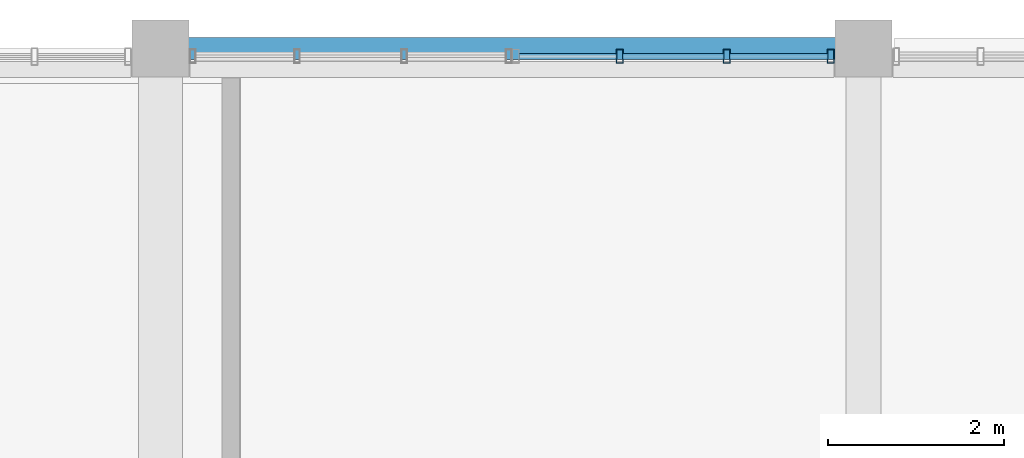
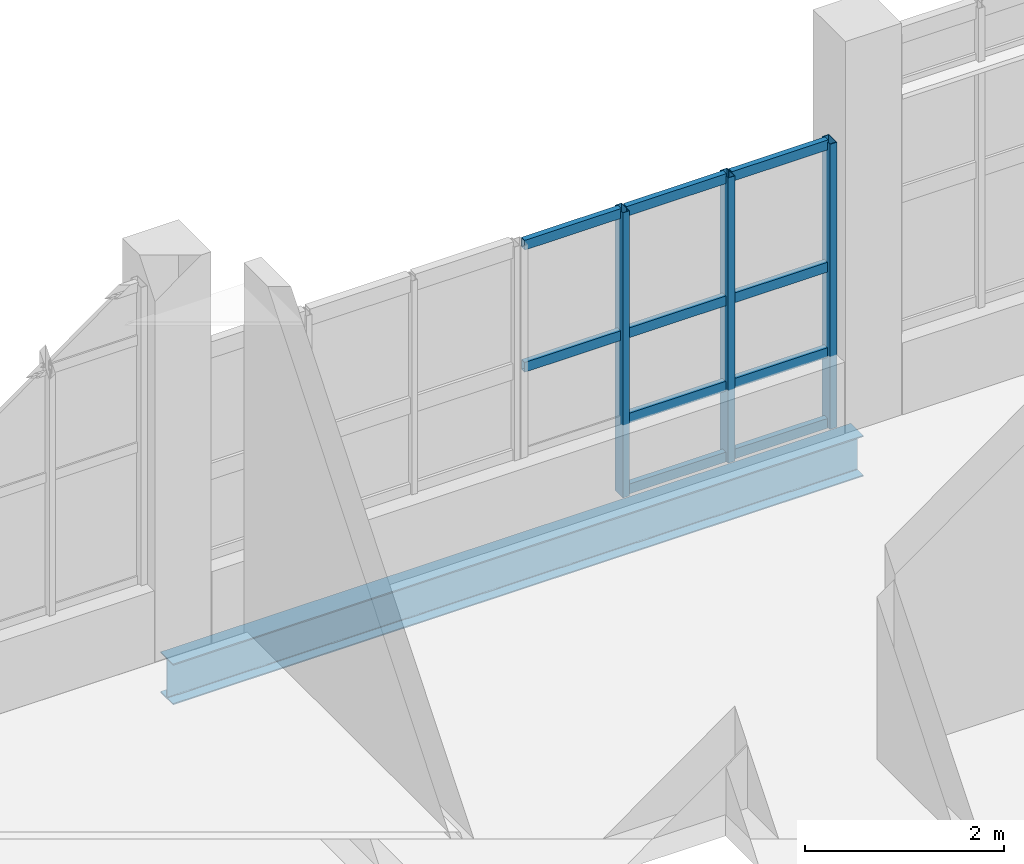
# One storey, part 48 of 102: 13 members, 1 beam, 1 element without a shape of its own.
"""IFC4 building model written with IfcOpenShell, lengths in metres."""

from ifc_helpers import new_model, si_unit, derived_unit, direction, frame, origin, origin_2d, place, context, subcontext, project, spatial, hollow_rectangle, i_section, extrude, material, layer, layer_set, material_profile, profile_set, type_object, element, aggregate, save


model = new_model("IFC4")

# Units and contexts
model_context = context("Model", 3, precision=1e-05, world=origin(), true_north=direction((0.0, 1.0)))
body_context = subcontext(model_context, "Body", "Model", "MODEL_VIEW")
ifc_project = project(units=[si_unit("LENGTHUNIT", "METRE"), si_unit("AREAUNIT", "SQUARE_METRE"), si_unit("VOLUMEUNIT", "CUBIC_METRE"), si_unit("PLANEANGLEUNIT", "RADIAN"), si_unit("MASSUNIT", "GRAM", prefix="KILO"), derived_unit("THERMALTRANSMITTANCEUNIT", [(si_unit("POWERUNIT", "WATT"), 1), (si_unit("LENGTHUNIT", "METRE"), -2), (si_unit("THERMODYNAMICTEMPERATUREUNIT", "KELVIN"), -1)])], contexts=[model_context])

# Site, building, storey
site_placement = place(None, origin())
site = spatial("IfcSite", under=ifc_project, at=site_placement, CompositionType="ELEMENT")
building_placement = place(site_placement, origin())
building = spatial("IfcBuilding", under=site, at=building_placement, Name="Nallur Shell Playhouse", CompositionType="ELEMENT")
storey_placement = place(building_placement, frame((0.0, 0.0, 15.0)))
storey = spatial("IfcBuildingStorey", under=building, at=storey_placement, Name="L04", CompositionType="ELEMENT", Elevation=15.0)

# Beam
ifc_material_1 = material(Name="Steel E350", Category="steel")
ifc_material_profile_1 = material_profile(ifc_material_1, i_section(OverallWidth=0.25, OverallDepth=0.5, WebThickness=0.010009765625, FlangeThickness=0.0146484375, FilletRadius=0.014892578125, at=origin_2d()), Name="ISWB 500")
ifc_profile_set_1 = profile_set([ifc_material_profile_1], Name="Steel E350")
beam_type = type_object("IfcBeamType", Name="BM-ST-ISWB500", PredefinedType="BEAM", material=ifc_profile_set_1)
beam_placement = place(storey_placement, frame((40.0, 83.0, -0.510009765625), z_axis=(1.0, 0.0, 0.0), x_axis=(0.0, 1.0, 0.0)))
element("IfcBeam", 1, at=beam_placement, inside=storey, type_object=beam_type, Name="L04 girder X-K-803", PredefinedType="BEAM", context=body_context, shape_type="SweptSolid", body=[
    extrude(i_section(OverallWidth=0.25, OverallDepth=0.5, WebThickness=0.010009765625, FlangeThickness=0.0146484375, FilletRadius=0.014892578125, at=origin_2d()), origin(), (0.0, 0.0, 1.0), 8.0),
])

# Curtain wall, members
ifc_material_2 = material(Name="Anodised Aluminium Double-Glazed Facade System", Category="aluminium")
ifc_layer = layer(ifc_material_2, 0.179931640625)
ifc_layer_set = layer_set([ifc_layer], Name="Anodised Aluminium Double-Glazed Facade System")
curtain_wall_type = type_object("IfcCurtainWallType", Name="CW-UNIT-11", PredefinedType="NOTDEFINED", material=ifc_layer_set)
curtain_wall_placement = place(storey_placement, origin())
curtain_wall = element("IfcCurtainWall", 2, at=curtain_wall_placement, inside=storey, type_object=curtain_wall_type, Name="Unitised curtain wall CW-107 (L04)", PredefinedType="NOTDEFINED")
ifc_material_3 = material(Name="Aluminium Alloy 6063-T6 Mullion", Category="aluminium")
ifc_material_profile_2 = material_profile(ifc_material_3, hollow_rectangle(XDim=0.080078125, YDim=0.159912109375, WallThickness=0.006103515625, at=origin_2d()), Name="RHS 160x80x6")
ifc_profile_set_2 = profile_set([ifc_material_profile_2], Name="Aluminium Alloy 6063-T6 Mullion")
member_type_1 = type_object("IfcMemberType", Name="MB-CW-MUL150", PredefinedType="MULLION", material=ifc_profile_set_2)
member_1_placement = place(storey_placement, frame((45.2255859375, 82.909912109375, -0.014892578125), z_axis=(0.0, 0.0, 1.0), x_axis=(1.0, 0.0, 0.0)))
member_1 = element("IfcMember", 3, at=member_1_placement, type_object=member_type_1, Name="CW-11 mullion 2", PredefinedType="MULLION", context=body_context, shape_type="SweptSolid", body=[
    extrude(hollow_rectangle(XDim=0.080078125, YDim=0.159912109375, WallThickness=0.006103515625, at=origin_2d()), origin(), (0.0, 0.0, 1.0), 3.493896484375),
])
member_2_placement = place(storey_placement, frame((46.4462890625, 82.909912109375, -0.014892578125), z_axis=(0.0, 0.0, 1.0), x_axis=(1.0, 0.0, 0.0)))
member_2 = element("IfcMember", 4, at=member_2_placement, type_object=member_type_1, Name="CW-11 mullion 3", PredefinedType="MULLION", context=body_context, shape_type="SweptSolid", body=[
    extrude(hollow_rectangle(XDim=0.080078125, YDim=0.159912109375, WallThickness=0.006103515625, at=origin_2d()), origin(), (0.0, 0.0, 1.0), 3.493896484375),
])
member_3_placement = place(storey_placement, frame((47.626953125, 82.909912109375, -0.014892578125), z_axis=(0.0, 0.0, 1.0), x_axis=(1.0, 0.0, 0.0)))
member_3 = element("IfcMember", 5, at=member_3_placement, type_object=member_type_1, Name="CW-11 mullion 4", PredefinedType="MULLION", context=body_context, shape_type="SweptSolid", body=[
    extrude(hollow_rectangle(XDim=0.080078125, YDim=0.159912109375, WallThickness=0.006103515625, at=origin_2d()), origin(), (0.0, 0.0, 1.0), 3.493896484375),
])
ifc_material_4 = material(Name="Aluminium Alloy 6063-T6 Transom", Category="aluminium")
ifc_material_profile_3 = material_profile(ifc_material_4, hollow_rectangle(XDim=0.06494140625, YDim=0.1201171875, WallThickness=0.00390625, at=origin_2d()), Name="ALU 65x120x4")
ifc_profile_set_3 = profile_set([ifc_material_profile_3], Name="Aluminium Alloy 6063-T6 Transom")
member_type_2 = type_object("IfcMemberType", Name="MB-CW-TRN120", PredefinedType="USERDEFINED", material=ifc_profile_set_3)
member_4_placement = place(storey_placement, frame((44.076904296875, 82.909912109375, 1.946044921875), z_axis=(1.0, 0.0, 0.0), x_axis=(0.0, 1.0, 0.0)))
member_4 = element("IfcMember", 6, at=member_4_placement, type_object=member_type_2, Name="CW-11 transom 1.3", ObjectType="TRANSOM", PredefinedType="USERDEFINED", context=body_context, shape_type="SweptSolid", body=[
    extrude(hollow_rectangle(XDim=0.06494140625, YDim=0.1201171875, WallThickness=0.00390625, at=origin_2d()), origin(), (0.0, 0.0, 1.0), 1.11669921875),
])
member_5_placement = place(storey_placement, frame((44.076904296875, 82.909912109375, 3.4423828125), z_axis=(1.0, 0.0, 0.0), x_axis=(0.0, 1.0, 0.0)))
member_5 = element("IfcMember", 7, at=member_5_placement, type_object=member_type_2, Name="CW-11 transom 1.4", ObjectType="TRANSOM", PredefinedType="USERDEFINED", context=body_context, shape_type="SweptSolid", body=[
    extrude(hollow_rectangle(XDim=0.06494140625, YDim=0.1201171875, WallThickness=0.00390625, at=origin_2d()), origin(), (0.0, 0.0, 1.0), 1.11669921875),
])
member_6_placement = place(storey_placement, frame((45.257568359375, 82.909912109375, 0.032470703125), z_axis=(1.0, 0.0, 0.0), x_axis=(0.0, 1.0, 0.0)))
member_6 = element("IfcMember", 8, at=member_6_placement, type_object=member_type_2, Name="CW-11 transom 2.1", ObjectType="TRANSOM", PredefinedType="USERDEFINED", context=body_context, shape_type="SweptSolid", body=[
    extrude(hollow_rectangle(XDim=0.06494140625, YDim=0.1201171875, WallThickness=0.00390625, at=origin_2d()), origin(), (0.0, 0.0, 1.0), 1.15673828125),
])
member_7_placement = place(storey_placement, frame((45.257568359375, 82.909912109375, 0.89990234375), z_axis=(1.0, 0.0, 0.0), x_axis=(0.0, 1.0, 0.0)))
member_7 = element("IfcMember", 9, at=member_7_placement, type_object=member_type_2, Name="CW-11 transom 2.2", ObjectType="TRANSOM", PredefinedType="USERDEFINED", context=body_context, shape_type="SweptSolid", body=[
    extrude(hollow_rectangle(XDim=0.06494140625, YDim=0.1201171875, WallThickness=0.00390625, at=origin_2d()), origin(), (0.0, 0.0, 1.0), 1.15673828125),
])
member_8_placement = place(storey_placement, frame((45.257568359375, 82.909912109375, 1.946044921875), z_axis=(1.0, 0.0, 0.0), x_axis=(0.0, 1.0, 0.0)))
member_8 = element("IfcMember", 10, at=member_8_placement, type_object=member_type_2, Name="CW-11 transom 2.3", ObjectType="TRANSOM", PredefinedType="USERDEFINED", context=body_context, shape_type="SweptSolid", body=[
    extrude(hollow_rectangle(XDim=0.06494140625, YDim=0.1201171875, WallThickness=0.00390625, at=origin_2d()), origin(), (0.0, 0.0, 1.0), 1.15673828125),
])
member_9_placement = place(storey_placement, frame((45.257568359375, 82.909912109375, 3.4423828125), z_axis=(1.0, 0.0, 0.0), x_axis=(0.0, 1.0, 0.0)))
member_9 = element("IfcMember", 11, at=member_9_placement, type_object=member_type_2, Name="CW-11 transom 2.4", ObjectType="TRANSOM", PredefinedType="USERDEFINED", context=body_context, shape_type="SweptSolid", body=[
    extrude(hollow_rectangle(XDim=0.06494140625, YDim=0.1201171875, WallThickness=0.00390625, at=origin_2d()), origin(), (0.0, 0.0, 1.0), 1.15673828125),
])
member_10_placement = place(storey_placement, frame((46.478271484375, 82.909912109375, 0.032470703125), z_axis=(1.0, 0.0, 0.0), x_axis=(0.0, 1.0, 0.0)))
member_10 = element("IfcMember", 12, at=member_10_placement, type_object=member_type_2, Name="CW-11 transom 3.1", ObjectType="TRANSOM", PredefinedType="USERDEFINED", context=body_context, shape_type="SweptSolid", body=[
    extrude(hollow_rectangle(XDim=0.06494140625, YDim=0.1201171875, WallThickness=0.00390625, at=origin_2d()), origin(), (0.0, 0.0, 1.0), 1.11669921875),
])
member_11_placement = place(storey_placement, frame((46.478271484375, 82.909912109375, 0.89990234375), z_axis=(1.0, 0.0, 0.0), x_axis=(0.0, 1.0, 0.0)))
member_11 = element("IfcMember", 13, at=member_11_placement, type_object=member_type_2, Name="CW-11 transom 3.2", ObjectType="TRANSOM", PredefinedType="USERDEFINED", context=body_context, shape_type="SweptSolid", body=[
    extrude(hollow_rectangle(XDim=0.06494140625, YDim=0.1201171875, WallThickness=0.00390625, at=origin_2d()), origin(), (0.0, 0.0, 1.0), 1.11669921875),
])
member_12_placement = place(storey_placement, frame((46.478271484375, 82.909912109375, 1.946044921875), z_axis=(1.0, 0.0, 0.0), x_axis=(0.0, 1.0, 0.0)))
member_12 = element("IfcMember", 14, at=member_12_placement, type_object=member_type_2, Name="CW-11 transom 3.3", ObjectType="TRANSOM", PredefinedType="USERDEFINED", context=body_context, shape_type="SweptSolid", body=[
    extrude(hollow_rectangle(XDim=0.06494140625, YDim=0.1201171875, WallThickness=0.00390625, at=origin_2d()), origin(), (0.0, 0.0, 1.0), 1.11669921875),
])
member_13_placement = place(storey_placement, frame((46.478271484375, 82.909912109375, 3.4423828125), z_axis=(1.0, 0.0, 0.0), x_axis=(0.0, 1.0, 0.0)))
member_13 = element("IfcMember", 15, at=member_13_placement, type_object=member_type_2, Name="CW-11 transom 3.4", ObjectType="TRANSOM", PredefinedType="USERDEFINED", context=body_context, shape_type="SweptSolid", body=[
    extrude(hollow_rectangle(XDim=0.06494140625, YDim=0.1201171875, WallThickness=0.00390625, at=origin_2d()), origin(), (0.0, 0.0, 1.0), 1.11669921875),
])
aggregate(curtain_wall, [member_1, member_2, member_3, member_4, member_5, member_6, member_7, member_8, member_9, member_10, member_11, member_12, member_13])

save(model, "model.ifc")
